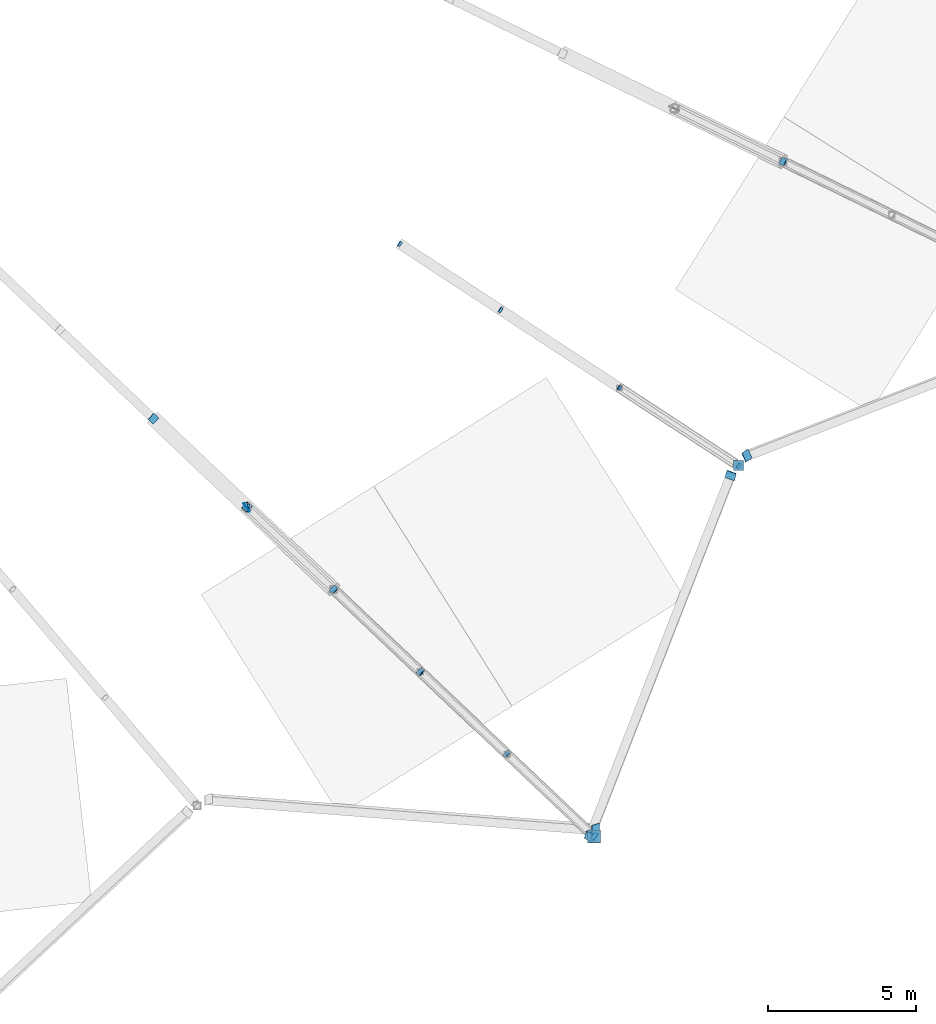
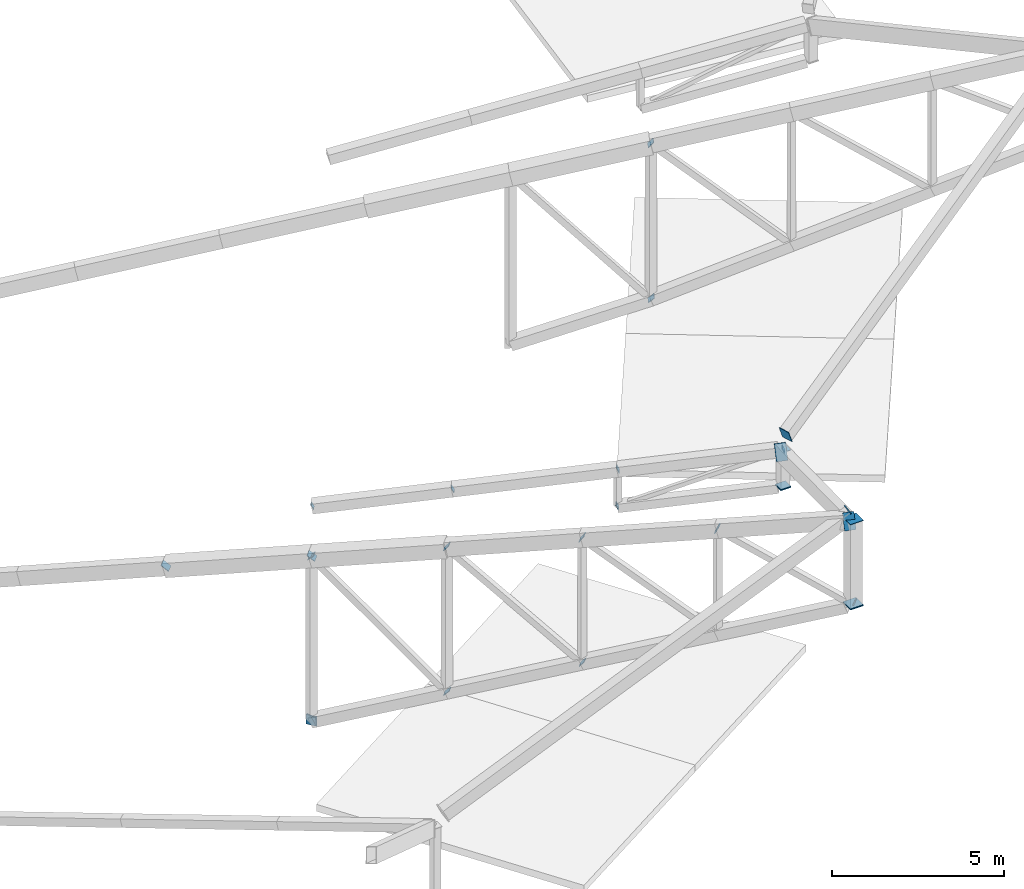
# One storey, part 143 of 188: 28 discrete accessories.
"""IFC4 building model written with IfcOpenShell, lengths in metres."""

from ifc_helpers import new_model, si_unit, direction, frame, origin, origin_2d, place, context, subcontext, project, spatial, rectangle, extrude, material, material_profile, profile_set, type_object, element, save


model = new_model("IFC4")

# Units and contexts
model_context = context("Model", 3, precision=1e-05, world=origin(), true_north=direction((0.0, 1.0)))
body_context = subcontext(model_context, "Body", "Model", "MODEL_VIEW")
ifc_project = project(units=[si_unit("LENGTHUNIT", "METRE"), si_unit("AREAUNIT", "SQUARE_METRE"), si_unit("VOLUMEUNIT", "CUBIC_METRE"), si_unit("PLANEANGLEUNIT", "RADIAN"), si_unit("MASSUNIT", "GRAM", prefix="KILO")], contexts=[model_context])

# Site, building, storey
site_placement = place(None, origin())
site = spatial("IfcSite", under=ifc_project, at=site_placement, CompositionType="ELEMENT")
building_placement = place(site_placement, origin())
building = spatial("IfcBuilding", under=site, at=building_placement, Name="Meseta Stadium", CompositionType="ELEMENT")
storey_placement = place(building_placement, frame((0.0, 0.0, 30.0)))
storey = spatial("IfcBuildingStorey", under=building, at=storey_placement, Name="ROOF", CompositionType="ELEMENT", Elevation=30.0)

# Discrete accessories
ifc_material_1 = material(Name="Steel S355", Category="steel")
ifc_material_profile_1 = material_profile(ifc_material_1, rectangle(XDim=0.179931640625, YDim=0.179931640625, at=origin_2d()), Name="PL 180x180")
ifc_profile_set_1 = profile_set([ifc_material_profile_1], Name="Steel S355")
discrete_accessory_type_1 = type_object("IfcDiscreteAccessoryType", Name="End plate 180x180x20", PredefinedType="ANCHORPLATE", material=ifc_profile_set_1)
for number, where, z_axis, x_axis, name in (
    (1, (68.897216796875, -76.854736328125, 1.0419921875), (0.745790378384, -0.489042871072, 0.452364655741), (0.54835696222, 0.836244367386, 0.0), "End plate of ROOF TRUSS RT-53 diagonal"),
    (2, (72.31201171875, -79.091064453125, 1.80126953125), (0.745790378384, -0.489042871072, 0.452364655741), (0.54835696222, 0.836244367386, 0.0), "End plate of ROOF TRUSS RT-53 diagonal"),
    (3, (76.338623046875, -81.728271484375, 2.696533203125), (0.763650388566, -0.496978824305, 0.412128781131), (0.545455886295, 0.8381395326, 0.0), "End plate of ROOF TRUSS RT-53 diagonal"),
    (4, (76.323486328125, -81.71826171875, 1.38818359375), (0.758526841724, -0.50160645985, 0.415966332558), (0.551591691077, 0.834114264555, 0.0), "End plate of ROOF TRUSS RT-53 diagonal"),
):
    element("IfcDiscreteAccessory", number, at=place(storey_placement, frame(where, z_axis=z_axis, x_axis=x_axis)), inside=storey, type_object=discrete_accessory_type_1, Name=name, PredefinedType="ANCHORPLATE", context=body_context, shape_type="SweptSolid", body=[
        extrude(rectangle(XDim=0.179931640625, YDim=0.179931640625, at=origin_2d()), origin(), (0.0, 0.0, 1.0), 0.02001953125),
    ])
discrete_accessory_1_placement = place(storey_placement, frame((80.365478515625, -84.365478515625, 3.591796875), z_axis=(0.763167244072, -0.492365963917, 0.41851106933), x_axis=(0.542126869822, 0.840296648224, 0.0)))
element("IfcDiscreteAccessory", 5, at=discrete_accessory_1_placement, inside=storey, type_object=discrete_accessory_type_1, Name="End plate of ROOF TRUSS RT-53 diagonal", PredefinedType="ANCHORPLATE", context=body_context, shape_type="SweptSolid", body=[
    extrude(rectangle(XDim=0.179931640625, YDim=0.179931640625, at=origin_2d()), origin(), (0.0, 0.0, 1.0), 0.019775390625),
])
ifc_material_2 = material(Name="Steel S355", Category="steel")
ifc_material_profile_2 = material_profile(ifc_material_2, rectangle(XDim=0.239990234375, YDim=0.239990234375, at=origin_2d()), Name="PL 240x240")
ifc_profile_set_2 = profile_set([ifc_material_profile_2], Name="Steel S355")
discrete_accessory_type_2 = type_object("IfcDiscreteAccessoryType", Name="End plate 240x240x20", PredefinedType="ANCHORPLATE", material=ifc_profile_set_2)
discrete_accessory_2_placement = place(storey_placement, frame((63.720947265625, -85.76123046875, 6.489013671875), z_axis=(0.507647865162, -0.483474157297, -0.713124382013), x_axis=(0.689655172414, 0.724137931034, 0.0)))
element("IfcDiscreteAccessory", 6, at=discrete_accessory_2_placement, inside=storey, type_object=discrete_accessory_type_2, Name="End plate of ROOF TRUSS RT-52 diagonal", PredefinedType="ANCHORPLATE", context=body_context, shape_type="SweptSolid", body=[
    extrude(rectangle(XDim=0.239990234375, YDim=0.239990234375, at=origin_2d()), origin(), (0.0, 0.0, 1.0), 0.020263671875),
])
for number, where, z_axis, x_axis, name in (
    (7, (66.6669921875, -88.555419921875, 2.348876953125), (0.515075774125, -0.478284647402, -0.711295116649), (0.680451099367, 0.732793491626, 0.0), "End plate of ROOF TRUSS RT-52 diagonal"),
    (8, (66.656005859375, -88.544921875, 7.474853515625), (0.550461289559, -0.525996343357, -0.64832107437), (0.690857771546, 0.722990691153, 0.0), "End plate of ROOF TRUSS RT-52 diagonal"),
):
    element("IfcDiscreteAccessory", number, at=place(storey_placement, frame(where, z_axis=z_axis, x_axis=x_axis)), inside=storey, type_object=discrete_accessory_type_2, Name=name, PredefinedType="ANCHORPLATE", context=body_context, shape_type="SweptSolid", body=[
        extrude(rectangle(XDim=0.239990234375, YDim=0.239990234375, at=origin_2d()), origin(), (0.0, 0.0, 1.0), 0.02001953125),
    ])
discrete_accessory_3_placement = place(storey_placement, frame((69.602783203125, -91.339599609375, 4.04052734375), z_axis=(0.555346605996, -0.531201101387, -0.639855872126), x_axis=(0.691222645967, 0.722641857148, 0.0)))
element("IfcDiscreteAccessory", 9, at=discrete_accessory_3_placement, inside=storey, type_object=discrete_accessory_type_2, Name="End plate of ROOF TRUSS RT-52 diagonal", PredefinedType="ANCHORPLATE", context=body_context, shape_type="SweptSolid", body=[
    extrude(rectangle(XDim=0.239990234375, YDim=0.239990234375, at=origin_2d()), origin(), (0.0, 0.0, 1.0), 0.020263671875),
])
discrete_accessory_4_placement = place(storey_placement, frame((69.5908203125, -91.328369140625, 8.460205078125), z_axis=(0.601646066092, -0.564810592658, -0.564810592658), x_axis=(0.684435908416, 0.729073032878, 0.0)))
element("IfcDiscreteAccessory", 10, at=discrete_accessory_4_placement, inside=storey, type_object=discrete_accessory_type_2, Name="End plate of ROOF TRUSS RT-52 diagonal", PredefinedType="ANCHORPLATE", context=body_context, shape_type="SweptSolid", body=[
    extrude(rectangle(XDim=0.239990234375, YDim=0.239990234375, at=origin_2d()), origin(), (0.0, 0.0, 1.0), 0.019775390625),
])
for number, where, z_axis, x_axis, name in (
    (11, (72.525634765625, -94.11181640625, 9.4453125), (0.655569641534, -0.607008927346, -0.449186606236), (0.679408031498, 0.733760674018, 0.0), "End plate of ROOF TRUSS RT-52 diagonal"),
    (12, (75.474609375, -96.908447265625, 7.423583984375), (0.643714145309, -0.619423045486, -0.449385346725), (0.693380371882, 0.720571759014, 0.0), "End plate of ROOF TRUSS RT-52 diagonal"),
    (13, (81.87548828125, -74.072509765625, 2.187744140625), (0.598719645157, -0.293250438444, -0.745344864379), (0.43986744881, 0.898062707987, 0.0), "End plate of ROOF TRUSS RT-54 diagonal"),
):
    element("IfcDiscreteAccessory", number, at=place(storey_placement, frame(where, z_axis=z_axis, x_axis=x_axis)), inside=storey, type_object=discrete_accessory_type_2, Name=name, PredefinedType="ANCHORPLATE", context=body_context, shape_type="SweptSolid", body=[
        extrude(rectangle(XDim=0.239990234375, YDim=0.239990234375, at=origin_2d()), origin(), (0.0, 0.0, 1.0), 0.02001953125),
    ])
discrete_accessory_5_placement = place(storey_placement, frame((81.8623046875, -74.066162109375, 7.69580078125), z_axis=(0.663839656102, -0.319626501086, -0.676132983066), x_axis=(0.433815618773, 0.901001669759, 0.0)))
element("IfcDiscreteAccessory", 14, at=discrete_accessory_5_placement, inside=storey, type_object=discrete_accessory_type_2, Name="End plate of ROOF TRUSS RT-54 diagonal", PredefinedType="ANCHORPLATE", context=body_context, shape_type="SweptSolid", body=[
    extrude(rectangle(XDim=0.239990234375, YDim=0.239990234375, at=origin_2d()), origin(), (0.0, 0.0, 1.0), 0.019775390625),
])
ifc_material_3 = material(Name="Steel S355", Category="steel")
ifc_material_profile_3 = material_profile(ifc_material_3, rectangle(XDim=0.2900390625, YDim=0.2900390625, at=origin_2d()), Name="PL 290x290")
ifc_profile_set_3 = profile_set([ifc_material_profile_3], Name="Steel S355")
discrete_accessory_type_3 = type_object("IfcDiscreteAccessoryType", Name="End plate 290x290x20", PredefinedType="ANCHORPLATE", material=ifc_profile_set_3)
discrete_accessory_6_placement = place(storey_placement, frame((60.565673828125, -82.7685546875, 5.41015625), z_axis=(0.430624524473, -0.418320966631, 0.799731259736), x_axis=(0.696785684263, 0.717279380859, 0.0)))
element("IfcDiscreteAccessory", 15, at=discrete_accessory_6_placement, inside=storey, type_object=discrete_accessory_type_3, Name="End plate of ROOF TRUSS RT-52 diagonal", PredefinedType="ANCHORPLATE", context=body_context, shape_type="SweptSolid", body=[
    extrude(rectangle(XDim=0.2900390625, YDim=0.2900390625, at=origin_2d()), origin(), (0.0, 0.0, 1.0), 0.019775390625),
])
discrete_accessory_7_placement = place(storey_placement, frame((63.731201171875, -85.77099609375, 6.474609375), z_axis=(0.416340403077, -0.391849791131, 0.820435500181), x_axis=(0.685364699005, 0.728199992693, 0.0)))
element("IfcDiscreteAccessory", 16, at=discrete_accessory_7_placement, inside=storey, type_object=discrete_accessory_type_3, Name="End plate of ROOF TRUSS RT-52 diagonal", PredefinedType="ANCHORPLATE", context=body_context, shape_type="SweptSolid", body=[
    extrude(rectangle(XDim=0.2900390625, YDim=0.2900390625, at=origin_2d()), origin(), (0.0, 0.0, 1.0), 0.02001953125),
])
ifc_material_4 = material(Name="Steel S355", Category="steel")
ifc_material_profile_4 = material_profile(ifc_material_4, rectangle(XDim=0.340087890625, YDim=0.340087890625, at=origin_2d()), Name="PL 340x340")
ifc_profile_set_4 = profile_set([ifc_material_profile_4], Name="Steel S355")
discrete_accessory_type_4 = type_object("IfcDiscreteAccessoryType", Name="End plate 340x340x20", PredefinedType="ANCHORPLATE", material=ifc_profile_set_4)
for number, where, z_axis, x_axis, name in (
    (17, (80.365478515625, -84.365478515625, 2.271728515625), (0.0, 0.0, 1.0), (1.0, 0.0, 0.0), "End plate of ROOF TRUSS RT-53 post"),
    (18, (80.365478515625, -84.365478515625, 3.591796875), (0.0, 0.0, 1.0), (1.0, 0.0, 0.0), "End plate of ROOF TRUSS RT-53 post"),
    (19, (80.365478515625, -84.365478515625, 2.291748046875), (0.0, 0.0, 1.0), (1.0, 0.0, 0.0), "End plate of ROOF RIM POST RT-53"),
    (20, (63.731201171875, -85.77099609375, 0.657470703125), (0.930294580868, 0.330499390571, 0.159129336201), (-0.334765052353, 0.942301628845, 0.0), "End plate of ROOF PIVOT STRUT RT-51/52"),
    (21, (63.71533203125, -85.783203125, 0.65771484375), (0.792565064524, 0.60966543425, -0.012193308685), (-0.60971076085, 0.792623989105, 0.0), "End plate of ROOF PIVOT STRUT RT-52/53"),
):
    element("IfcDiscreteAccessory", number, at=place(storey_placement, frame(where, z_axis=z_axis, x_axis=x_axis)), inside=storey, type_object=discrete_accessory_type_4, Name=name, PredefinedType="ANCHORPLATE", context=body_context, shape_type="SweptSolid", body=[
        extrude(rectangle(XDim=0.340087890625, YDim=0.340087890625, at=origin_2d()), origin(), (0.0, 0.0, 1.0), 0.02001953125),
    ])
ifc_material_5 = material(Name="Steel S355", Category="steel")
ifc_material_profile_5 = material_profile(ifc_material_5, rectangle(XDim=0.340087890625, YDim=0.5400390625, at=origin_2d()), Name="PL 340x540")
ifc_profile_set_5 = profile_set([ifc_material_profile_5], Name="Steel S355")
discrete_accessory_type_5 = type_object("IfcDiscreteAccessoryType", Name="End plate 340x540x20", PredefinedType="ANCHORPLATE", material=ifc_profile_set_5)
for number, where, z_axis, x_axis, name in (
    (22, (75.520263671875, -96.667236328125, 10.4365234375), (0.890310108805, -0.060980144439, 0.451253068847), (-0.011704598086, 0.987600304835, 0.156552356336), "End plate of RIM RING BEAM 52"),
    (23, (75.338134765625, -96.923583984375, 10.408203125), (0.329317272719, 0.829391649812, -0.451286632986), (-0.936736622189, 0.347027906095, -0.045783545531), "End plate of RIM RING BEAM 53"),
    (24, (80.1025390625, -84.704833984375, 3.783935546875), (0.318377955294, 0.832680806153, -0.453076320995), (-0.941123411884, 0.334954998265, -0.045736995323), "End plate of RIM RING BEAM 53"),
):
    element("IfcDiscreteAccessory", number, at=place(storey_placement, frame(where, z_axis=z_axis, x_axis=x_axis)), inside=storey, type_object=discrete_accessory_type_5, Name=name, PredefinedType="ANCHORPLATE", context=body_context, shape_type="SweptSolid", body=[
        extrude(rectangle(XDim=0.340087890625, YDim=0.5400390625, at=origin_2d()), origin(), (0.0, 0.0, 1.0), 0.02001953125),
    ])
discrete_accessory_8_placement = place(storey_placement, frame((80.64306640625, -84.0283203125, 3.80029296875), z_axis=(0.837275897082, 0.320134901826, 0.44326371022), x_axis=(-0.40299500406, 0.909209505239, 0.104561476109)))
element("IfcDiscreteAccessory", 25, at=discrete_accessory_8_placement, inside=storey, type_object=discrete_accessory_type_5, Name="End plate of RIM RING BEAM 54", PredefinedType="ANCHORPLATE", context=body_context, shape_type="SweptSolid", body=[
    extrude(rectangle(XDim=0.340087890625, YDim=0.5400390625, at=origin_2d()), origin(), (0.0, 0.0, 1.0), 0.019775390625),
])
ifc_material_6 = material(Name="Steel S355", Category="steel")
ifc_material_profile_6 = material_profile(ifc_material_6, rectangle(XDim=0.43994140625, YDim=0.43994140625, at=origin_2d()), Name="PL 440x440")
ifc_profile_set_6 = profile_set([ifc_material_profile_6], Name="Steel S355")
discrete_accessory_type_6 = type_object("IfcDiscreteAccessoryType", Name="End plate 440x440x20", PredefinedType="ANCHORPLATE", material=ifc_profile_set_6)
for number, where, z_axis, x_axis, name in (
    (26, (75.474609375, -96.908447265625, 7.403564453125), (0.0, 0.0, 1.0), (1.0, 0.0, 0.0), "End plate of ROOF TRUSS RT-52 post"),
    (27, (75.474609375, -96.908447265625, 10.423583984375), (0.0, 0.0, 1.0), (1.0, 0.0, 0.0), "End plate of ROOF TRUSS RT-52 post"),
    (28, (75.474609375, -96.908447265625, 7.423583984375), (0.0, 0.0, 1.0), (1.0, 0.0, 0.0), "End plate of ROOF RIM POST RT-52"),
):
    element("IfcDiscreteAccessory", number, at=place(storey_placement, frame(where, z_axis=z_axis, x_axis=x_axis)), inside=storey, type_object=discrete_accessory_type_6, Name=name, PredefinedType="ANCHORPLATE", context=body_context, shape_type="SweptSolid", body=[
        extrude(rectangle(XDim=0.43994140625, YDim=0.43994140625, at=origin_2d()), origin(), (0.0, 0.0, 1.0), 0.02001953125),
    ])

save(model, "model.ifc")
